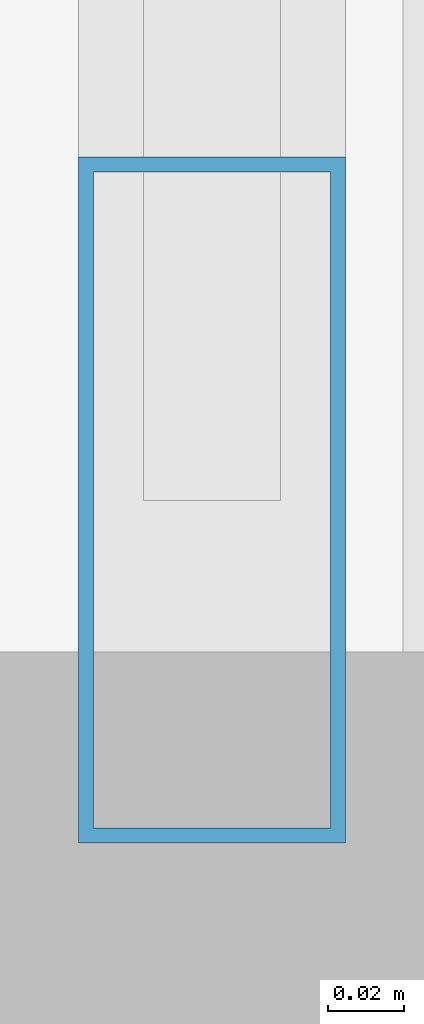
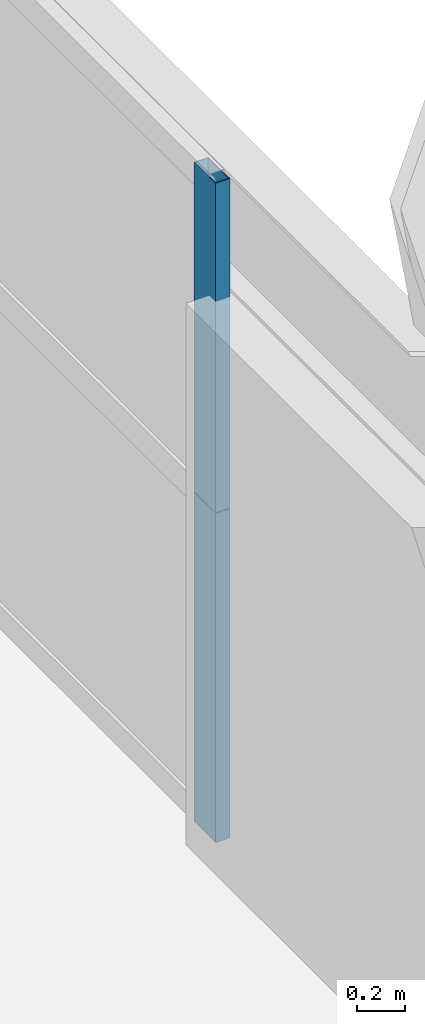
# One storey, part 18 of 43: 2 members, 1 element without a shape of its own.
"""IFC4 building model written with IfcOpenShell, lengths in metres."""

from ifc_helpers import new_model, si_unit, direction, frame, origin, origin_2d, place, context, subcontext, project, spatial, hollow_rectangle, extrude, source, transform, mapped, material, layer, layer_set, material_profile, profile_set, type_object, element, aggregate, save


model = new_model("IFC4")

# Units and contexts
model_context = context("Model", 3, precision=1e-05, world=origin(), true_north=direction((0.0, 1.0)))
body_context = subcontext(model_context, "Body", "Model", "MODEL_VIEW")
ifc_project = project(units=[si_unit("LENGTHUNIT", "METRE"), si_unit("AREAUNIT", "SQUARE_METRE"), si_unit("VOLUMEUNIT", "CUBIC_METRE"), si_unit("PLANEANGLEUNIT", "RADIAN"), si_unit("MASSUNIT", "GRAM", prefix="KILO"), si_unit("THERMODYNAMICTEMPERATUREUNIT", "KELVIN"), si_unit("POWERUNIT", "WATT")], contexts=[model_context])

# Site, building, storey
site_placement = place(None, origin())
site = spatial("IfcSite", under=ifc_project, at=site_placement, CompositionType="ELEMENT")
building_placement = place(site_placement, origin())
building = spatial("IfcBuilding", under=site, at=building_placement, Name="Yuzanri Waterfront Tower", CompositionType="ELEMENT")
storey_placement = place(building_placement, frame((0.0, 0.0, 101.0)))
storey = spatial("IfcBuildingStorey", under=building, at=storey_placement, Name="L26", CompositionType="ELEMENT", Elevation=101.0)

# Curtain wall, members
ifc_material_1 = material(Name="Anodized Architectural Bronze", Category="metal")
ifc_layer = layer(ifc_material_1, 0.159912109375)
ifc_layer_set = layer_set([ifc_layer], Name="Anodized Architectural Bronze")
curtain_wall_type = type_object("IfcCurtainWallType", Name="Anodized Bronze Hotel Upper-Tier Solar-Control Unitized Curtain Wall 7800", PredefinedType="NOTDEFINED", material=ifc_layer_set)
curtain_wall_placement = place(storey_placement, origin())
curtain_wall = element("IfcCurtainWall", 1, at=curtain_wall_placement, inside=storey, type_object=curtain_wall_type, Name="L26 Curtain Wall CW-L26-EL1", PredefinedType="NOTDEFINED")
ifc_material_2 = material(Name="Anodized Architectural Bronze", Category="metal")
ifc_material_profile = material_profile(ifc_material_2, hollow_rectangle(XDim=0.070068359375, YDim=0.179931640625, WallThickness=0.00390625, at=origin_2d()), Name="CWM 70x180")
ifc_profile_set = profile_set([ifc_material_profile], Name="Anodized Architectural Bronze")
member_type = type_object("IfcMemberType", Name="Anodized Bronze Standard Curtain-Wall Mullion 70x180", PredefinedType="MULLION", material=ifc_profile_set)
shared_shape = source(origin(), body_context, "Body", "SweptSolid", [
    extrude(hollow_rectangle(XDim=0.070068359375, YDim=0.179931640625, WallThickness=0.00390625, at=origin_2d()), origin(), (0.0, 0.0, 1.0), 1.68798828125),
])
member_1_placement = place(storey_placement, frame((60.449951171875, 9.590087890625, 0.0), z_axis=(0.0, 0.0, 1.0), x_axis=(1.0, 0.0, 0.0)))
member_1 = element("IfcMember", 2, at=member_1_placement, type_object=member_type, Name="CW-L26-EL1 Lower Mullion 00", PredefinedType="MULLION", context=body_context, shape_type="MappedRepresentation", body=[
    mapped(shared_shape, transform((0.0, 0.0, 0.0), scale=1.0)),
])
member_2_placement = place(storey_placement, frame((60.449951171875, 9.590087890625, 1.69189453125), z_axis=(0.0, 0.0, 1.0), x_axis=(1.0, 0.0, 0.0)))
member_2 = element("IfcMember", 3, at=member_2_placement, type_object=member_type, Name="CW-L26-EL1 Upper Mullion 00", PredefinedType="MULLION", context=body_context, shape_type="MappedRepresentation", body=[
    mapped(shared_shape, transform((0.0, 0.0, 0.0), scale=1.0)),
])
aggregate(curtain_wall, [member_1, member_2])

save(model, "model.ifc")
